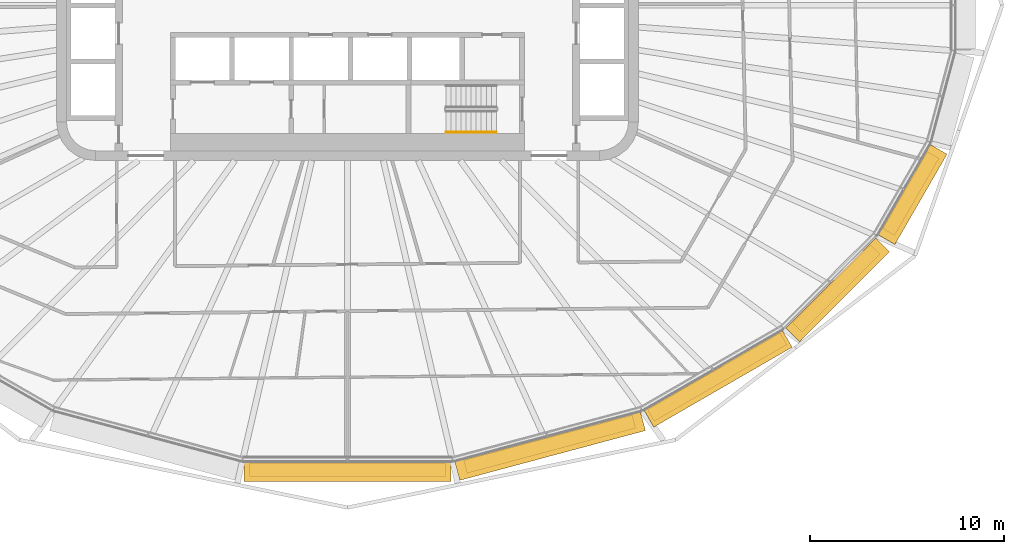
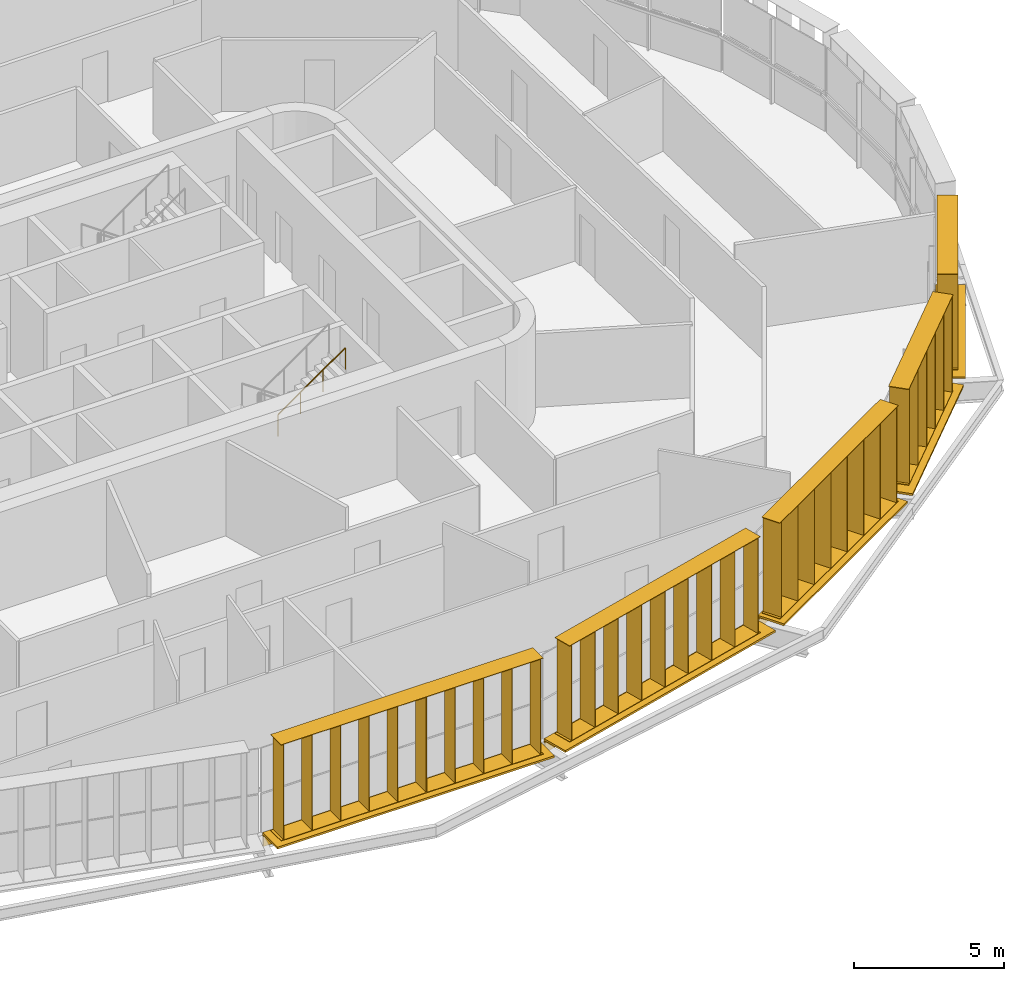
# One storey, part 20 of 24: 10 shading devices, 1 railing.
"""IFC4 building model written with IfcOpenShell, lengths in metres."""

from ifc_helpers import new_model, si_unit, direction, frame, origin, origin_2d, place, context, subcontext, project, spatial, rectangle, circle, extrude, material, type_object, element, save


model = new_model("IFC4")

# Units and contexts
model_context = context("Model", 3, precision=1e-05, world=origin(), true_north=direction((0.0, 1.0)))
body_context = subcontext(model_context, "Body", "Model", "MODEL_VIEW")
ifc_project = project(units=[si_unit("LENGTHUNIT", "METRE"), si_unit("AREAUNIT", "SQUARE_METRE"), si_unit("VOLUMEUNIT", "CUBIC_METRE"), si_unit("PLANEANGLEUNIT", "RADIAN"), si_unit("MASSUNIT", "GRAM", prefix="KILO")], contexts=[model_context])

# Site, building, storey
site_placement = place(None, origin())
site = spatial("IfcSite", under=ifc_project, at=site_placement, CompositionType="ELEMENT")
building_placement = place(site_placement, origin())
building = spatial("IfcBuilding", under=site, at=building_placement, Name="Sahrelin Media Tower", CompositionType="ELEMENT")
storey_placement = place(building_placement, frame((0.0, 0.0, 153.60009765625)))
storey = spatial("IfcBuildingStorey", under=building, at=storey_placement, Name="L31", CompositionType="ELEMENT", Elevation=153.60009765625)

# Shading devices
ifc_material_1 = material(Name="Champagne anodised aluminium 6063-T6", Category="aluminium")
shading_device_type_1 = type_object("IfcShadingDeviceType", Name="Fin cassette", PredefinedType="USERDEFINED", material=ifc_material_1)
placement_1 = place(storey_placement, frame((0.0, -23.532470703125, 0.0), z_axis=(0.0, 0.0, 1.0), x_axis=(-1.0, 0.0, 0.0)))
element("IfcShadingDevice", 1, at=placement_1, inside=storey, type_object=shading_device_type_1, Name="L31:FIN:L31-18", ObjectType="FIN", PredefinedType="USERDEFINED", context=body_context, shape_type="SweptSolid", body=[
    extrude(rectangle(XDim=10.10009765625, YDim=0.699951171875, at=origin_2d()), frame((0.0, 0.419921875, 0.0)), (0.0, 0.0, 1.0), 0.02001953125),
    extrude(rectangle(XDim=10.10009765625, YDim=0.699951171875, at=origin_2d()), frame((0.0, 0.419921875, 3.89990234375)), (0.0, 0.0, 1.0), 0.02001953125),
    extrude(rectangle(XDim=0.02001953125, YDim=0.699951171875, at=origin_2d()), frame((-4.949951171875, 0.419921875, 0.010009765625), z_axis=(0.0, 0.0, 1.0), x_axis=(1.0, 0.0, 0.0)), (0.0, 0.0, 1.0), 3.89990234375),
    extrude(rectangle(XDim=0.02001953125, YDim=0.699951171875, at=origin_2d()), frame((-3.85009765625, 0.419921875, 0.010009765625), z_axis=(0.0, 0.0, 1.0), x_axis=(1.0, 0.0, 0.0)), (0.0, 0.0, 1.0), 3.89990234375),
    extrude(rectangle(XDim=0.02001953125, YDim=0.699951171875, at=origin_2d()), frame((-2.75, 0.419921875, 0.010009765625), z_axis=(0.0, 0.0, 1.0), x_axis=(1.0, 0.0, 0.0)), (0.0, 0.0, 1.0), 3.89990234375),
    extrude(rectangle(XDim=0.02001953125, YDim=0.699951171875, at=origin_2d()), frame((-1.64990234375, 0.419921875, 0.010009765625), z_axis=(0.0, 0.0, 1.0), x_axis=(1.0, 0.0, 0.0)), (0.0, 0.0, 1.0), 3.89990234375),
    extrude(rectangle(XDim=0.02001953125, YDim=0.699951171875, at=origin_2d()), frame((-0.550048828125, 0.419921875, 0.010009765625), z_axis=(0.0, 0.0, 1.0), x_axis=(1.0, 0.0, 0.0)), (0.0, 0.0, 1.0), 3.89990234375),
    extrude(rectangle(XDim=0.02001953125, YDim=0.699951171875, at=origin_2d()), frame((0.550048828125, 0.419921875, 0.010009765625), z_axis=(0.0, 0.0, 1.0), x_axis=(1.0, 0.0, 0.0)), (0.0, 0.0, 1.0), 3.89990234375),
    extrude(rectangle(XDim=0.02001953125, YDim=0.699951171875, at=origin_2d()), frame((1.64990234375, 0.419921875, 0.010009765625), z_axis=(0.0, 0.0, 1.0), x_axis=(1.0, 0.0, 0.0)), (0.0, 0.0, 1.0), 3.89990234375),
    extrude(rectangle(XDim=0.02001953125, YDim=0.699951171875, at=origin_2d()), frame((2.75, 0.419921875, 0.010009765625), z_axis=(0.0, 0.0, 1.0), x_axis=(1.0, 0.0, 0.0)), (0.0, 0.0, 1.0), 3.89990234375),
    extrude(rectangle(XDim=0.02001953125, YDim=0.699951171875, at=origin_2d()), frame((3.85009765625, 0.419921875, 0.010009765625), z_axis=(0.0, 0.0, 1.0), x_axis=(1.0, 0.0, 0.0)), (0.0, 0.0, 1.0), 3.89990234375),
    extrude(rectangle(XDim=0.02001953125, YDim=0.699951171875, at=origin_2d()), frame((4.949951171875, 0.419921875, 0.010009765625), z_axis=(0.0, 0.0, 1.0), x_axis=(1.0, 0.0, 0.0)), (0.0, 0.0, 1.0), 3.89990234375),
])
placement_2 = place(storey_placement, frame((10.312255859375, -22.2236328125, 0.0), z_axis=(0.0, 0.0, 1.0), x_axis=(-0.965928857556, -0.258807731996, 0.0)))
element("IfcShadingDevice", 2, at=placement_2, inside=storey, type_object=shading_device_type_1, Name="L31:FIN:L31-19", ObjectType="FIN", PredefinedType="USERDEFINED", context=body_context, shape_type="SweptSolid", body=[
    extrude(rectangle(XDim=9.0, YDim=0.699951171875, at=origin_2d()), frame((0.0, 0.419921875, 0.0)), (0.0, 0.0, 1.0), 0.02001953125),
    extrude(rectangle(XDim=9.0, YDim=0.699951171875, at=origin_2d()), frame((0.0, 0.419921875, 3.89990234375)), (0.0, 0.0, 1.0), 0.02001953125),
    extrude(rectangle(XDim=0.02001953125, YDim=0.699951171875, at=origin_2d()), frame((-4.39990234375, 0.419921875, 0.010009765625), z_axis=(0.0, 0.0, 1.0), x_axis=(1.0, 0.0, 0.0)), (0.0, 0.0, 1.0), 3.89990234375),
    extrude(rectangle(XDim=0.02001953125, YDim=0.699951171875, at=origin_2d()), frame((-3.300048828125, 0.419921875, 0.010009765625), z_axis=(0.0, 0.0, 1.0), x_axis=(1.0, 0.0, 0.0)), (0.0, 0.0, 1.0), 3.89990234375),
    extrude(rectangle(XDim=0.02001953125, YDim=0.699951171875, at=origin_2d()), frame((-2.199951171875, 0.419921875, 0.010009765625), z_axis=(0.0, 0.0, 1.0), x_axis=(1.0, 0.0, 0.0)), (0.0, 0.0, 1.0), 3.89990234375),
    extrude(rectangle(XDim=0.02001953125, YDim=0.699951171875, at=origin_2d()), frame((-1.10009765625, 0.419921875, 0.010009765625), z_axis=(0.0, 0.0, 1.0), x_axis=(1.0, 0.0, 0.0)), (0.0, 0.0, 1.0), 3.89990234375),
    extrude(rectangle(XDim=0.02001953125, YDim=0.699951171875, at=origin_2d()), frame((0.0, 0.419921875, 0.010009765625), z_axis=(0.0, 0.0, 1.0), x_axis=(1.0, 0.0, 0.0)), (0.0, 0.0, 1.0), 3.89990234375),
    extrude(rectangle(XDim=0.02001953125, YDim=0.699951171875, at=origin_2d()), frame((1.10009765625, 0.419921875, 0.010009765625), z_axis=(0.0, 0.0, 1.0), x_axis=(1.0, 0.0, 0.0)), (0.0, 0.0, 1.0), 3.89990234375),
    extrude(rectangle(XDim=0.02001953125, YDim=0.699951171875, at=origin_2d()), frame((2.199951171875, 0.419921875, 0.010009765625), z_axis=(0.0, 0.0, 1.0), x_axis=(1.0, 0.0, 0.0)), (0.0, 0.0, 1.0), 3.89990234375),
    extrude(rectangle(XDim=0.02001953125, YDim=0.699951171875, at=origin_2d()), frame((3.300048828125, 0.419921875, 0.010009765625), z_axis=(0.0, 0.0, 1.0), x_axis=(1.0, 0.0, 0.0)), (0.0, 0.0, 1.0), 3.89990234375),
    extrude(rectangle(XDim=0.02001953125, YDim=0.699951171875, at=origin_2d()), frame((4.39990234375, 0.419921875, 0.010009765625), z_axis=(0.0, 0.0, 1.0), x_axis=(1.0, 0.0, 0.0)), (0.0, 0.0, 1.0), 3.89990234375),
])
placement_3 = place(storey_placement, frame((18.85107421875, -18.804931640625, 0.0), z_axis=(0.0, 0.0, 1.0), x_axis=(-0.866019052629, -0.500011000363, 0.0)))
element("IfcShadingDevice", 3, at=placement_3, inside=storey, type_object=shading_device_type_1, Name="L31:FIN:L31-20", ObjectType="FIN", PredefinedType="USERDEFINED", context=body_context, shape_type="SweptSolid", body=[
    extrude(rectangle(XDim=7.89990234375, YDim=0.699951171875, at=origin_2d()), frame((0.0, 0.419921875, 0.0)), (0.0, 0.0, 1.0), 0.02001953125),
    extrude(rectangle(XDim=7.89990234375, YDim=0.699951171875, at=origin_2d()), frame((0.0, 0.419921875, 3.89990234375)), (0.0, 0.0, 1.0), 0.02001953125),
    extrude(rectangle(XDim=0.02001953125, YDim=0.699951171875, at=origin_2d()), frame((-3.85009765625, 0.419921875, 0.010009765625), z_axis=(0.0, 0.0, 1.0), x_axis=(1.0, 0.0, 0.0)), (0.0, 0.0, 1.0), 3.89990234375),
    extrude(rectangle(XDim=0.02001953125, YDim=0.699951171875, at=origin_2d()), frame((-2.75, 0.419921875, 0.010009765625), z_axis=(0.0, 0.0, 1.0), x_axis=(1.0, 0.0, 0.0)), (0.0, 0.0, 1.0), 3.89990234375),
    extrude(rectangle(XDim=0.02001953125, YDim=0.699951171875, at=origin_2d()), frame((-1.64990234375, 0.419921875, 0.010009765625), z_axis=(0.0, 0.0, 1.0), x_axis=(1.0, 0.0, 0.0)), (0.0, 0.0, 1.0), 3.89990234375),
    extrude(rectangle(XDim=0.02001953125, YDim=0.699951171875, at=origin_2d()), frame((-0.550048828125, 0.419921875, 0.010009765625), z_axis=(0.0, 0.0, 1.0), x_axis=(1.0, 0.0, 0.0)), (0.0, 0.0, 1.0), 3.89990234375),
    extrude(rectangle(XDim=0.02001953125, YDim=0.699951171875, at=origin_2d()), frame((0.550048828125, 0.419921875, 0.010009765625), z_axis=(0.0, 0.0, 1.0), x_axis=(1.0, 0.0, 0.0)), (0.0, 0.0, 1.0), 3.89990234375),
    extrude(rectangle(XDim=0.02001953125, YDim=0.699951171875, at=origin_2d()), frame((1.64990234375, 0.419921875, 0.010009765625), z_axis=(0.0, 0.0, 1.0), x_axis=(1.0, 0.0, 0.0)), (0.0, 0.0, 1.0), 3.89990234375),
    extrude(rectangle(XDim=0.02001953125, YDim=0.699951171875, at=origin_2d()), frame((2.75, 0.419921875, 0.010009765625), z_axis=(0.0, 0.0, 1.0), x_axis=(1.0, 0.0, 0.0)), (0.0, 0.0, 1.0), 3.89990234375),
    extrude(rectangle(XDim=0.02001953125, YDim=0.699951171875, at=origin_2d()), frame((3.85009765625, 0.419921875, 0.010009765625), z_axis=(0.0, 0.0, 1.0), x_axis=(1.0, 0.0, 0.0)), (0.0, 0.0, 1.0), 3.89990234375),
])
placement_4 = place(storey_placement, frame((24.900390625, -14.300048828125, 0.0), z_axis=(0.0, 0.0, 1.0), x_axis=(-0.707106781187, -0.707106781187, 0.0)))
element("IfcShadingDevice", 4, at=placement_4, inside=storey, type_object=shading_device_type_1, Name="L31:FIN:L31-21", ObjectType="FIN", PredefinedType="USERDEFINED", context=body_context, shape_type="SweptSolid", body=[
    extrude(rectangle(XDim=5.699951171875, YDim=0.699951171875, at=origin_2d()), frame((0.0, 0.419921875, 0.0)), (0.0, 0.0, 1.0), 0.02001953125),
    extrude(rectangle(XDim=5.699951171875, YDim=0.699951171875, at=origin_2d()), frame((0.0, 0.419921875, 3.89990234375)), (0.0, 0.0, 1.0), 0.02001953125),
    extrude(rectangle(XDim=0.02001953125, YDim=0.699951171875, at=origin_2d()), frame((-2.75, 0.419921875, 0.010009765625), z_axis=(0.0, 0.0, 1.0), x_axis=(1.0, 0.0, 0.0)), (0.0, 0.0, 1.0), 3.89990234375),
    extrude(rectangle(XDim=0.02001953125, YDim=0.699951171875, at=origin_2d()), frame((-1.64990234375, 0.419921875, 0.010009765625), z_axis=(0.0, 0.0, 1.0), x_axis=(1.0, 0.0, 0.0)), (0.0, 0.0, 1.0), 3.89990234375),
    extrude(rectangle(XDim=0.02001953125, YDim=0.699951171875, at=origin_2d()), frame((-0.550048828125, 0.419921875, 0.010009765625), z_axis=(0.0, 0.0, 1.0), x_axis=(1.0, 0.0, 0.0)), (0.0, 0.0, 1.0), 3.89990234375),
    extrude(rectangle(XDim=0.02001953125, YDim=0.699951171875, at=origin_2d()), frame((0.550048828125, 0.419921875, 0.010009765625), z_axis=(0.0, 0.0, 1.0), x_axis=(1.0, 0.0, 0.0)), (0.0, 0.0, 1.0), 3.89990234375),
    extrude(rectangle(XDim=0.02001953125, YDim=0.699951171875, at=origin_2d()), frame((1.64990234375, 0.419921875, 0.010009765625), z_axis=(0.0, 0.0, 1.0), x_axis=(1.0, 0.0, 0.0)), (0.0, 0.0, 1.0), 3.89990234375),
    extrude(rectangle(XDim=0.02001953125, YDim=0.699951171875, at=origin_2d()), frame((2.75, 0.419921875, 0.010009765625), z_axis=(0.0, 0.0, 1.0), x_axis=(1.0, 0.0, 0.0)), (0.0, 0.0, 1.0), 3.89990234375),
])
placement_5 = place(storey_placement, frame((28.689208984375, -9.490966796875, 0.0), z_axis=(0.0, 0.0, 1.0), x_axis=(-0.500011000363, -0.866019052629, 0.0)))
element("IfcShadingDevice", 5, at=placement_5, inside=storey, type_object=shading_device_type_1, Name="L31:FIN:L31-22", ObjectType="FIN", PredefinedType="USERDEFINED", context=body_context, shape_type="SweptSolid", body=[
    extrude(rectangle(XDim=4.60009765625, YDim=0.699951171875, at=origin_2d()), frame((0.0, 0.419921875, 0.0)), (0.0, 0.0, 1.0), 0.02001953125),
    extrude(rectangle(XDim=4.60009765625, YDim=0.699951171875, at=origin_2d()), frame((0.0, 0.419921875, 3.89990234375)), (0.0, 0.0, 1.0), 0.02001953125),
    extrude(rectangle(XDim=0.02001953125, YDim=0.699951171875, at=origin_2d()), frame((-2.199951171875, 0.419921875, 0.010009765625), z_axis=(0.0, 0.0, 1.0), x_axis=(1.0, 0.0, 0.0)), (0.0, 0.0, 1.0), 3.89990234375),
    extrude(rectangle(XDim=0.02001953125, YDim=0.699951171875, at=origin_2d()), frame((-1.10009765625, 0.419921875, 0.010009765625), z_axis=(0.0, 0.0, 1.0), x_axis=(1.0, 0.0, 0.0)), (0.0, 0.0, 1.0), 3.89990234375),
    extrude(rectangle(XDim=0.02001953125, YDim=0.699951171875, at=origin_2d()), frame((0.0, 0.419921875, 0.010009765625), z_axis=(0.0, 0.0, 1.0), x_axis=(1.0, 0.0, 0.0)), (0.0, 0.0, 1.0), 3.89990234375),
    extrude(rectangle(XDim=0.02001953125, YDim=0.699951171875, at=origin_2d()), frame((1.10009765625, 0.419921875, 0.010009765625), z_axis=(0.0, 0.0, 1.0), x_axis=(1.0, 0.0, 0.0)), (0.0, 0.0, 1.0), 3.89990234375),
    extrude(rectangle(XDim=0.02001953125, YDim=0.699951171875, at=origin_2d()), frame((2.199951171875, 0.419921875, 0.010009765625), z_axis=(0.0, 0.0, 1.0), x_axis=(1.0, 0.0, 0.0)), (0.0, 0.0, 1.0), 3.89990234375),
])

# Railing
ifc_material_2 = material(Name="Steel S355", Category="steel")
railing_type = type_object("IfcRailingType", Name="Stair handrail 900", PredefinedType="HANDRAIL", material=ifc_material_2)
railing_placement = place(storey_placement, frame((5.074951171875, -6.550048828125, 2.181640625)))
element("IfcRailing", 6, at=railing_placement, inside=storey, type_object=railing_type, Name="L31 ST2 stair handrail 2", PredefinedType="HANDRAIL", context=body_context, shape_type="SweptSolid", body=[
    extrude(circle(Radius=0.02392578125, at=origin_2d()), frame((0.0, 0.0, 0.8759765625), z_axis=(0.819484887739, 0.0, 0.573100792852), x_axis=(0.0, 1.0, 0.0)), (0.0, 0.0, 1.0), 3.1728515625),
    extrude(circle(Radius=0.02099609375, at=origin_2d()), origin(), (0.0, 0.0, 1.0), 0.851806640625),
    extrude(circle(Radius=0.02099609375, at=origin_2d()), frame((0.86669921875, 0.0, 0.606201171875)), (0.0, 0.0, 1.0), 0.851806640625),
    extrude(circle(Radius=0.02099609375, at=origin_2d()), frame((1.7333984375, 0.0, 1.212158203125)), (0.0, 0.0, 1.0), 0.851806640625),
    extrude(circle(Radius=0.02099609375, at=origin_2d()), frame((2.60009765625, 0.0, 1.818359375)), (0.0, 0.0, 1.0), 0.851806640625),
])

# Shading devices
shading_device_type_2 = type_object("IfcShadingDeviceType", Name="Sunshade band", PredefinedType="USERDEFINED", material=ifc_material_1)
element("IfcShadingDevice", 7, at=placement_1, inside=storey, type_object=shading_device_type_2, Name="L31:SUN:L31-18", ObjectType="SUNSHADE", PredefinedType="USERDEFINED", context=body_context, shape_type="SweptSolid", body=[
    extrude(rectangle(XDim=10.656494140625, YDim=0.050048828125, at=origin_2d()), frame((0.0, 0.044921875, -0.55126953125)), (0.0, 0.0, 1.0), 0.471435546875),
    extrude(rectangle(XDim=10.656494140625, YDim=1.0, at=origin_2d()), frame((0.0, 0.52001953125, -0.080078125)), (0.0, 0.0, 1.0), 0.080078125),
    extrude(rectangle(XDim=0.10009765625, YDim=0.074951171875, at=origin_2d()), frame((-5.228271484375, -0.017578125, -0.47021484375)), (0.0, 0.0, 1.0), 0.300048828125),
    extrude(rectangle(XDim=0.10009765625, YDim=0.074951171875, at=origin_2d()), frame((-3.485595703125, -0.017578125, -0.47021484375)), (0.0, 0.0, 1.0), 0.300048828125),
    extrude(rectangle(XDim=0.10009765625, YDim=0.074951171875, at=origin_2d()), frame((-1.74267578125, -0.017578125, -0.47021484375)), (0.0, 0.0, 1.0), 0.300048828125),
    extrude(rectangle(XDim=0.10009765625, YDim=0.074951171875, at=origin_2d()), frame((0.0, -0.017578125, -0.47021484375)), (0.0, 0.0, 1.0), 0.300048828125),
    extrude(rectangle(XDim=0.10009765625, YDim=0.074951171875, at=origin_2d()), frame((1.74267578125, -0.017578125, -0.47021484375)), (0.0, 0.0, 1.0), 0.300048828125),
    extrude(rectangle(XDim=0.10009765625, YDim=0.074951171875, at=origin_2d()), frame((3.485595703125, -0.017578125, -0.47021484375)), (0.0, 0.0, 1.0), 0.300048828125),
    extrude(rectangle(XDim=0.10009765625, YDim=0.074951171875, at=origin_2d()), frame((5.228271484375, -0.017578125, -0.47021484375)), (0.0, 0.0, 1.0), 0.300048828125),
])
element("IfcShadingDevice", 8, at=placement_2, inside=storey, type_object=shading_device_type_2, Name="L31:SUN:L31-19", ObjectType="SUNSHADE", PredefinedType="USERDEFINED", context=body_context, shape_type="SweptSolid", body=[
    extrude(rectangle(XDim=9.91259765625, YDim=0.050048828125, at=origin_2d()), frame((0.0, 0.044921875, -0.55126953125)), (0.0, 0.0, 1.0), 0.471435546875),
    extrude(rectangle(XDim=9.91259765625, YDim=1.0, at=origin_2d()), frame((0.0, 0.52001953125, -0.080078125)), (0.0, 0.0, 1.0), 0.080078125),
    extrude(rectangle(XDim=0.10009765625, YDim=0.074951171875, at=origin_2d()), frame((-4.856201171875, -0.017578125, -0.47021484375)), (0.0, 0.0, 1.0), 0.300048828125),
    extrude(rectangle(XDim=0.10009765625, YDim=0.074951171875, at=origin_2d()), frame((-2.913818359375, -0.017578125, -0.47021484375)), (0.0, 0.0, 1.0), 0.300048828125),
    extrude(rectangle(XDim=0.10009765625, YDim=0.074951171875, at=origin_2d()), frame((-0.97119140625, -0.017578125, -0.47021484375)), (0.0, 0.0, 1.0), 0.300048828125),
    extrude(rectangle(XDim=0.10009765625, YDim=0.074951171875, at=origin_2d()), frame((0.97119140625, -0.017578125, -0.47021484375)), (0.0, 0.0, 1.0), 0.300048828125),
    extrude(rectangle(XDim=0.10009765625, YDim=0.074951171875, at=origin_2d()), frame((2.913818359375, -0.017578125, -0.47021484375)), (0.0, 0.0, 1.0), 0.300048828125),
    extrude(rectangle(XDim=0.10009765625, YDim=0.074951171875, at=origin_2d()), frame((4.856201171875, -0.017578125, -0.47021484375)), (0.0, 0.0, 1.0), 0.300048828125),
])
element("IfcShadingDevice", 9, at=placement_3, inside=storey, type_object=shading_device_type_2, Name="L31:SUN:L31-20", ObjectType="SUNSHADE", PredefinedType="USERDEFINED", context=body_context, shape_type="SweptSolid", body=[
    extrude(rectangle(XDim=8.240478515625, YDim=0.050048828125, at=origin_2d()), frame((0.0, 0.044921875, -0.55126953125)), (0.0, 0.0, 1.0), 0.471435546875),
    extrude(rectangle(XDim=8.240478515625, YDim=1.0, at=origin_2d()), frame((0.0, 0.52001953125, -0.080078125)), (0.0, 0.0, 1.0), 0.080078125),
    extrude(rectangle(XDim=0.10009765625, YDim=0.074951171875, at=origin_2d()), frame((-4.020263671875, -0.017578125, -0.47021484375)), (0.0, 0.0, 1.0), 0.300048828125),
    extrude(rectangle(XDim=0.10009765625, YDim=0.074951171875, at=origin_2d()), frame((-2.412109375, -0.017578125, -0.47021484375)), (0.0, 0.0, 1.0), 0.300048828125),
    extrude(rectangle(XDim=0.10009765625, YDim=0.074951171875, at=origin_2d()), frame((-0.803955078125, -0.017578125, -0.47021484375)), (0.0, 0.0, 1.0), 0.300048828125),
    extrude(rectangle(XDim=0.10009765625, YDim=0.074951171875, at=origin_2d()), frame((0.803955078125, -0.017578125, -0.47021484375)), (0.0, 0.0, 1.0), 0.300048828125),
    extrude(rectangle(XDim=0.10009765625, YDim=0.074951171875, at=origin_2d()), frame((2.412109375, -0.017578125, -0.47021484375)), (0.0, 0.0, 1.0), 0.300048828125),
    extrude(rectangle(XDim=0.10009765625, YDim=0.074951171875, at=origin_2d()), frame((4.020263671875, -0.017578125, -0.47021484375)), (0.0, 0.0, 1.0), 0.300048828125),
])
element("IfcShadingDevice", 10, at=placement_4, inside=storey, type_object=shading_device_type_2, Name="L31:SUN:L31-21", ObjectType="SUNSHADE", PredefinedType="USERDEFINED", context=body_context, shape_type="SweptSolid", body=[
    extrude(rectangle(XDim=6.573486328125, YDim=0.050048828125, at=origin_2d()), frame((0.0, 0.044921875, -0.55126953125)), (0.0, 0.0, 1.0), 0.471435546875),
    extrude(rectangle(XDim=6.573486328125, YDim=1.0, at=origin_2d()), frame((0.0, 0.52001953125, -0.080078125)), (0.0, 0.0, 1.0), 0.080078125),
    extrude(rectangle(XDim=0.10009765625, YDim=0.074951171875, at=origin_2d()), frame((-3.186767578125, -0.017578125, -0.47021484375)), (0.0, 0.0, 1.0), 0.300048828125),
    extrude(rectangle(XDim=0.10009765625, YDim=0.074951171875, at=origin_2d()), frame((-1.59326171875, -0.017578125, -0.47021484375)), (0.0, 0.0, 1.0), 0.300048828125),
    extrude(rectangle(XDim=0.10009765625, YDim=0.074951171875, at=origin_2d()), frame((0.0, -0.017578125, -0.47021484375)), (0.0, 0.0, 1.0), 0.300048828125),
    extrude(rectangle(XDim=0.10009765625, YDim=0.074951171875, at=origin_2d()), frame((1.59326171875, -0.017578125, -0.47021484375)), (0.0, 0.0, 1.0), 0.300048828125),
    extrude(rectangle(XDim=0.10009765625, YDim=0.074951171875, at=origin_2d()), frame((3.186767578125, -0.017578125, -0.47021484375)), (0.0, 0.0, 1.0), 0.300048828125),
])
element("IfcShadingDevice", 11, at=placement_5, inside=storey, type_object=shading_device_type_2, Name="L31:SUN:L31-22", ObjectType="SUNSHADE", PredefinedType="USERDEFINED", context=body_context, shape_type="SweptSolid", body=[
    extrude(rectangle(XDim=5.375732421875, YDim=0.050048828125, at=origin_2d()), frame((0.0, 0.044921875, -0.55126953125)), (0.0, 0.0, 1.0), 0.471435546875),
    extrude(rectangle(XDim=5.375732421875, YDim=1.0, at=origin_2d()), frame((0.0, 0.52001953125, -0.080078125)), (0.0, 0.0, 1.0), 0.080078125),
    extrude(rectangle(XDim=0.10009765625, YDim=0.074951171875, at=origin_2d()), frame((-2.587890625, -0.017578125, -0.47021484375)), (0.0, 0.0, 1.0), 0.300048828125),
    extrude(rectangle(XDim=0.10009765625, YDim=0.074951171875, at=origin_2d()), frame((-0.862548828125, -0.017578125, -0.47021484375)), (0.0, 0.0, 1.0), 0.300048828125),
    extrude(rectangle(XDim=0.10009765625, YDim=0.074951171875, at=origin_2d()), frame((0.862548828125, -0.017578125, -0.47021484375)), (0.0, 0.0, 1.0), 0.300048828125),
    extrude(rectangle(XDim=0.10009765625, YDim=0.074951171875, at=origin_2d()), frame((2.587890625, -0.017578125, -0.47021484375)), (0.0, 0.0, 1.0), 0.300048828125),
])

save(model, "model.ifc")
